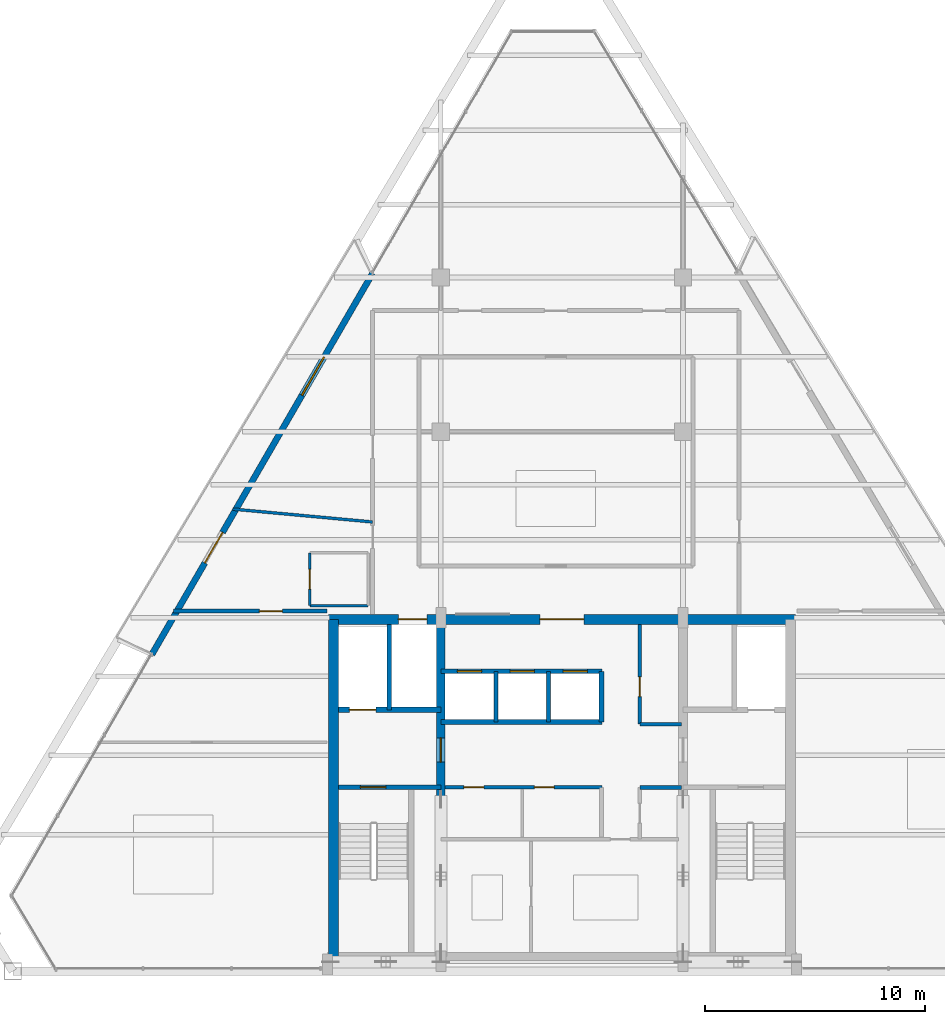
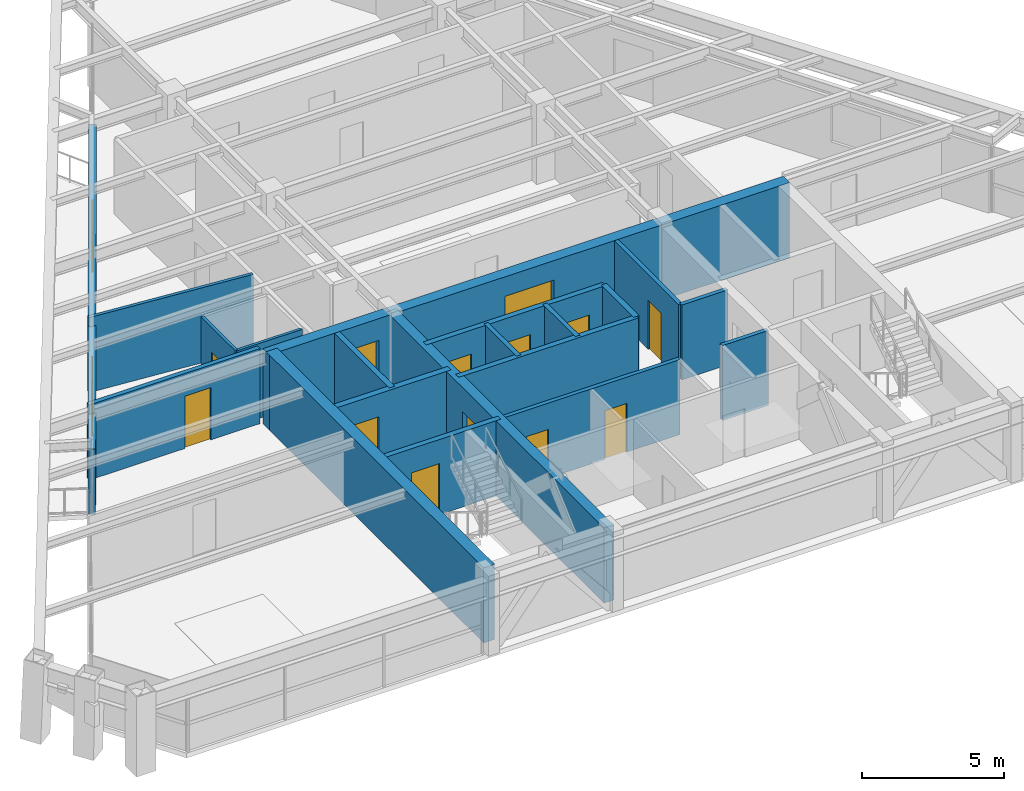
# One storey, part 9 of 13: 20 walls, 14 doors, 1 window, 15 openings.
"""IFC4 building model written with IfcOpenShell, lengths in metres."""

from ifc_helpers import new_model, si_unit, direction, frame, frame_2d, origin, place, context, subcontext, project, spatial, rectangle, extrude, source, transform, mapped, material, layer, layer_set, type_object, type_shapes, element, fill, save


model = new_model("IFC4")

# Units and contexts
model_context = context("Model", 3, precision=1e-05, world=origin(), true_north=direction((0.0, 1.0)))
body_context = subcontext(model_context, "Body", "Model", "MODEL_VIEW")
ifc_project = project(units=[si_unit("LENGTHUNIT", "METRE"), si_unit("AREAUNIT", "SQUARE_METRE"), si_unit("VOLUMEUNIT", "CUBIC_METRE"), si_unit("PLANEANGLEUNIT", "RADIAN"), si_unit("MASSUNIT", "GRAM", prefix="KILO")], contexts=[model_context])

# Site, building, storey
site_placement = place(None, origin())
site = spatial("IfcSite", under=ifc_project, at=site_placement, CompositionType="ELEMENT")
building_placement = place(site_placement, origin())
building = spatial("IfcBuilding", under=site, at=building_placement, Name="Varnakhor Terracotta Tower", CompositionType="ELEMENT")
storey_placement = place(building_placement, frame((0.0, 0.0, 269.550048828125)))
storey = spatial("IfcBuildingStorey", under=building, at=storey_placement, Name="L70", CompositionType="ELEMENT", Elevation=269.550048828125)

# Wall
ifc_material_1 = material(Name="Moisture-Resistant Tile-Backed Partition", Category="gypsum")
ifc_layer_1 = layer(ifc_material_1, 0.114990234375, Name="Moisture-Resistant Tile-Backed Partition")
ifc_layer_set_1 = layer_set([ifc_layer_1], Name="Moisture-Resistant Tile-Backed Partition")
wall_type_1 = type_object("IfcWallType", Name="WAL-BATH-115", PredefinedType="PARTITIONING", material=ifc_layer_set_1)
wall_1_placement = place(storey_placement, frame((-11.449951171875, 16.60009765625, 0.0), z_axis=(0.0, 0.0, 1.0), x_axis=(1.0, 0.0, 0.0)))
element("IfcWall", 1, at=wall_1_placement, inside=storey, type_object=wall_type_1, Name="L70 En-Suite 1 Wall S", PredefinedType="PARTITIONING", context=body_context, shape_type="SweptSolid", body=[
    extrude(rectangle(XDim=2.64990234375, YDim=0.114990234375, at=frame_2d((1.324951171875, 0.0))), origin(), (0.0, 0.0, 1.0), 3.23193359375),
])

# Wall, opening, door
wall_2_placement = place(storey_placement, frame((-11.449951171875, 16.60009765625, 0.0), z_axis=(0.0, 0.0, 1.0), x_axis=(0.0, 1.0, 0.0)))
wall_2 = element("IfcWall", 2, at=wall_2_placement, inside=storey, type_object=wall_type_1, Name="L70 En-Suite 1 Wall W", PredefinedType="PARTITIONING", context=body_context, shape_type="SweptSolid", body=[
    extrude(rectangle(XDim=2.39990234375, YDim=0.114990234375, at=frame_2d((1.199951171875, 0.0))), origin(), (0.0, 0.0, 1.0), 3.23193359375),
])
opening_1_placement = place(wall_2_placement, frame((0.75, 0.0, 0.0)))
opening_1 = element("IfcOpeningElement", 3, at=opening_1_placement, cuts=wall_2, Name="Opening DR-93", PredefinedType="OPENING", context=body_context, shape_type="SweptSolid", body=[
    extrude(rectangle(XDim=0.89990234375, YDim=2.14990234375, at=frame_2d((0.449951171875, 1.074951171875))), frame((0.0, 0.0673828125, 0.0), z_axis=(0.0, -1.0, 0.0), x_axis=(1.0, 0.0, 0.0)), (0.0, 0.0, 1.0), 0.135009765625),
])
ifc_material_2 = material(Name="Moisture-Resistant Accessible Bathroom Door", Category="wood")
door_type_1 = type_object("IfcDoorType", Name="DR-BATH-900X2150", OperationType="NOTDEFINED", PredefinedType="DOOR", material=ifc_material_2)
shared_shape_1 = source(origin(), body_context, "Body", "SweptSolid", [
    extrude(rectangle(XDim=0.89990234375, YDim=2.14990234375, at=frame_2d((0.449951171875, 1.074951171875))), frame((0.0, 0.02490234375, 0.0), z_axis=(0.0, -1.0, 0.0), x_axis=(1.0, 0.0, 0.0)), (0.0, 0.0, 1.0), 0.050048828125),
])
type_shapes(door_type_1, [shared_shape_1])
door_1_placement = place(opening_1_placement, origin())
door_1 = element("IfcDoor", 4, at=door_1_placement, inside=storey, type_object=door_type_1, Name="L70 En-Suite Bathroom 1 Door", OperationType="SINGLE_SWING_LEFT", OverallHeight=2.14990234375, OverallWidth=0.89990234375, PredefinedType="DOOR", context=body_context, shape_type="MappedRepresentation", body=[
    mapped(shared_shape_1, transform((0.0, 0.0, 0.0), scale=1.0)),
])
fill(opening_1, door_1)

# Wall, openings, doors
ifc_material_3 = material(Name="Concrete C50/60", Category="concrete")
ifc_layer_2 = layer(ifc_material_3, 0.449951171875, Name="Concrete C50/60")
ifc_layer_set_2 = layer_set([ifc_layer_2], Name="Concrete C50/60")
wall_type_2 = type_object("IfcWallType", Name="WAL-CORE-450", PredefinedType="SHEAR", material=ifc_layer_set_2)
wall_3_placement = place(storey_placement, frame((-10.60009765625, 15.97509765625, 0.0), z_axis=(0.0, 0.0, 1.0), x_axis=(1.0, 0.0, 0.0)))
wall_3 = element("IfcWall", 5, at=wall_3_placement, inside=storey, type_object=wall_type_2, Name="L70 North Core Shear Wall", PredefinedType="SHEAR", context=body_context, shape_type="SweptSolid", body=[
    extrude(rectangle(XDim=21.2001953125, YDim=0.449951171875, at=frame_2d((10.60009765625, 0.0))), origin(), (0.0, 0.0, 1.0), 3.239990234375),
])
opening_2_placement = place(wall_3_placement, frame((3.169921875, 0.0, 0.0)))
opening_2 = element("IfcOpeningElement", 6, at=opening_2_placement, cuts=wall_3, Name="Opening LD-03", PredefinedType="OPENING", context=body_context, shape_type="SweptSolid", body=[
    extrude(rectangle(XDim=1.300048828125, YDim=2.300048828125, at=frame_2d((0.64990234375, 1.14990234375))), frame((0.0, 0.23486328125, 0.0), z_axis=(0.0, -1.0, 0.0), x_axis=(1.0, 0.0, 0.0)), (0.0, 0.0, 1.0), 0.469970703125),
])
opening_3_placement = place(wall_3_placement, frame((9.60009765625, 0.0, 0.0)))
opening_3 = element("IfcOpeningElement", 7, at=opening_3_placement, cuts=wall_3, Name="Opening DR-32", PredefinedType="OPENING", context=body_context, shape_type="SweptSolid", body=[
    extrude(rectangle(XDim=2.0, YDim=2.39990234375, at=frame_2d((1.0, 1.199951171875))), frame((0.0, 0.23486328125, 0.0), z_axis=(0.0, -1.0, 0.0), x_axis=(1.0, 0.0, 0.0)), (0.0, 0.0, 1.0), 0.469970703125),
])
ifc_material_4 = material(Name="Heavy-Duty Goods Sliding Lift Landing Door", Category="steel")
door_type_2 = type_object("IfcDoorType", Name="LD-SRV-1300X2300", OperationType="NOTDEFINED", PredefinedType="DOOR", material=ifc_material_4)
shared_shape_2 = source(origin(), body_context, "Body", "SweptSolid", [
    extrude(rectangle(XDim=1.300048828125, YDim=2.300048828125, at=frame_2d((0.64990234375, 1.14990234375))), frame((0.0, 0.02490234375, 0.0), z_axis=(0.0, -1.0, 0.0), x_axis=(1.0, 0.0, 0.0)), (0.0, 0.0, 1.0), 0.050048828125),
])
type_shapes(door_type_2, [shared_shape_2])
door_2_placement = place(opening_2_placement, origin())
door_2 = element("IfcDoor", 8, at=door_2_placement, inside=storey, type_object=door_type_2, Name="L70 Service Lift SVL-1 Landing Door", OperationType="SLIDING_TO_RIGHT", OverallHeight=2.300048828125, OverallWidth=1.300048828125, PredefinedType="DOOR", context=body_context, shape_type="MappedRepresentation", body=[
    mapped(shared_shape_2, transform((0.0, 0.0, 0.0), scale=1.0)),
])
fill(opening_2, door_2)
ifc_material_5 = material(Name="Acoustic Double Assembly Fire Door", Category="wood")
door_type_3 = type_object("IfcDoorType", Name="DR-HALL-2000X2400", OperationType="NOTDEFINED", PredefinedType="DOOR", material=ifc_material_5)
shared_shape_3 = source(origin(), body_context, "Body", "SweptSolid", [
    extrude(rectangle(XDim=2.0, YDim=2.39990234375, at=frame_2d((1.0, 1.199951171875))), frame((0.0, 0.02490234375, 0.0), z_axis=(0.0, -1.0, 0.0), x_axis=(1.0, 0.0, 0.0)), (0.0, 0.0, 1.0), 0.050048828125),
])
type_shapes(door_type_3, [shared_shape_3])
door_3_placement = place(opening_3_placement, origin())
door_3 = element("IfcDoor", 9, at=door_3_placement, inside=storey, type_object=door_type_3, Name="L70 Core Main Lobby Double Door", OperationType="DOUBLE_DOOR_SINGLE_SWING", OverallHeight=2.39990234375, OverallWidth=2.0, PredefinedType="DOOR", context=body_context, shape_type="MappedRepresentation", body=[
    mapped(shared_shape_3, transform((0.0, 0.0, 0.0), scale=1.0)),
])
fill(opening_3, door_3)

# Wall
wall_4_placement = place(storey_placement, frame((-10.375, 0.625, 0.0), z_axis=(0.0, 0.0, 1.0), x_axis=(0.0, 1.0, 0.0)))
element("IfcWall", 10, at=wall_4_placement, inside=storey, type_object=wall_type_2, Name="L70 West Core Shear Wall", PredefinedType="SHEAR", context=body_context, shape_type="SweptSolid", body=[
    extrude(rectangle(XDim=15.35009765625, YDim=0.449951171875, at=frame_2d((7.675048828125, 0.0))), origin(), (0.0, 0.0, 1.0), 3.239990234375),
])

# Wall, opening, door
ifc_layer_3 = layer(ifc_material_3, 0.39990234375, Name="Concrete C50/60")
ifc_layer_set_3 = layer_set([ifc_layer_3], Name="Concrete C50/60")
wall_type_3 = type_object("IfcWallType", Name="WAL-CORE-WEB-400", PredefinedType="SHEAR", material=ifc_layer_set_3)
wall_5_placement = place(storey_placement, frame((-5.5, 0.625, 0.0), z_axis=(0.0, 0.0, 1.0), x_axis=(0.0, 1.0, 0.0)))
wall_5 = element("IfcWall", 11, at=wall_5_placement, inside=storey, type_object=wall_type_3, Name="L70 West Core Web Shear Wall", PredefinedType="SHEAR", context=body_context, shape_type="SweptSolid", body=[
    extrude(rectangle(XDim=15.35009765625, YDim=0.39990234375, at=frame_2d((7.675048828125, 0.0))), origin(), (0.0, 0.0, 1.0), 3.239990234375),
])
opening_4_placement = place(wall_5_placement, frame((8.875, 0.0, 0.0)))
opening_4 = element("IfcOpeningElement", 12, at=opening_4_placement, cuts=wall_5, Name="Opening DR-25", PredefinedType="OPENING", context=body_context, shape_type="SweptSolid", body=[
    extrude(rectangle(XDim=1.10009765625, YDim=2.199951171875, at=frame_2d((0.550048828125, 1.10009765625))), frame((0.0, 0.2099609375, 0.0), z_axis=(0.0, -1.0, 0.0), x_axis=(1.0, 0.0, 0.0)), (0.0, 0.0, 1.0), 0.419921875),
])
ifc_material_6 = material(Name="Firefighting Lobby Self-Closing Fire Door", Category="steel")
door_type_4 = type_object("IfcDoorType", Name="DR-FFL-1100X2200", OperationType="NOTDEFINED", PredefinedType="DOOR", material=ifc_material_6)
shared_shape_4 = source(origin(), body_context, "Body", "SweptSolid", [
    extrude(rectangle(XDim=1.10009765625, YDim=2.199951171875, at=frame_2d((0.550048828125, 1.10009765625))), frame((0.0, 0.02490234375, 0.0), z_axis=(0.0, -1.0, 0.0), x_axis=(1.0, 0.0, 0.0)), (0.0, 0.0, 1.0), 0.050048828125),
])
type_shapes(door_type_4, [shared_shape_4])
door_4_placement = place(opening_4_placement, origin())
door_4 = element("IfcDoor", 13, at=door_4_placement, inside=storey, type_object=door_type_4, Name="L70 West Firefighting Lobby Door", OperationType="SINGLE_SWING_RIGHT", OverallHeight=2.199951171875, OverallWidth=1.10009765625, PredefinedType="DOOR", context=body_context, shape_type="MappedRepresentation", body=[
    mapped(shared_shape_4, transform((0.0, 0.0, 0.0), scale=1.0)),
])
fill(opening_4, door_4)

ifc_material_7 = material(Name="Fire-Rated Gypsum Stud Partition", Category="gypsum")
ifc_layer_4 = layer(ifc_material_7, 0.18505859375, Name="Fire-Rated Gypsum Stud Partition")
ifc_layer_set_4 = layer_set([ifc_layer_4], Name="Fire-Rated Gypsum Stud Partition")
wall_type_4 = type_object("IfcWallType", Name="WAL-CORR-185", PredefinedType="PARTITIONING", material=ifc_layer_set_4)
wall_6_placement = place(storey_placement, frame((-17.634521484375, 16.35009765625, 0.0), z_axis=(0.0, 0.0, 1.0), x_axis=(1.0, 0.0, 0.0)))
wall_6 = element("IfcWall", 14, at=wall_6_placement, inside=storey, type_object=wall_type_4, Name="L70 South West Guest Entry Wall", PredefinedType="PARTITIONING", context=body_context, shape_type="SweptSolid", body=[
    extrude(rectangle(XDim=6.95458984375, YDim=0.18505859375, at=frame_2d((3.477294921875, 0.0))), origin(), (0.0, 0.0, 1.0), 3.23193359375),
])
opening_5_placement = place(wall_6_placement, frame((3.893310546875, 0.0, 0.0)))
opening_5 = element("IfcOpeningElement", 15, at=opening_5_placement, cuts=wall_6, Name="Opening DR-95", PredefinedType="OPENING", context=body_context, shape_type="SweptSolid", body=[
    extrude(rectangle(XDim=1.050048828125, YDim=2.25, at=frame_2d((0.52490234375, 1.125))), frame((0.0, 0.1025390625, 0.0), z_axis=(0.0, -1.0, 0.0), x_axis=(1.0, 0.0, 0.0)), (0.0, 0.0, 1.0), 0.205078125),
])
ifc_material_8 = material(Name="Solid-Core Timber Tenant/Hotel Entrance Door", Category="wood")
door_type_5 = type_object("IfcDoorType", Name="DR-SUITE-1050X2250", OperationType="NOTDEFINED", PredefinedType="DOOR", material=ifc_material_8)
shared_shape_5 = source(origin(), body_context, "Body", "SweptSolid", [
    extrude(rectangle(XDim=1.050048828125, YDim=2.25, at=frame_2d((0.52490234375, 1.125))), frame((0.0, 0.02490234375, 0.0), z_axis=(0.0, -1.0, 0.0), x_axis=(1.0, 0.0, 0.0)), (0.0, 0.0, 1.0), 0.050048828125),
])
type_shapes(door_type_5, [shared_shape_5])
door_5_placement = place(opening_5_placement, origin())
door_5 = element("IfcDoor", 16, at=door_5_placement, inside=storey, type_object=door_type_5, Name="L70 SW Suite Entry Door", OperationType="SINGLE_SWING_LEFT", OverallHeight=2.25, OverallWidth=1.050048828125, PredefinedType="DOOR", context=body_context, shape_type="MappedRepresentation", body=[
    mapped(shared_shape_5, transform((0.0, 0.0, 0.0), scale=1.0)),
])
fill(opening_5, door_5)

# Wall, openings, door, window
ifc_material_9 = material(Name="Extruded Architectural Terracotta Assembly", Category="masonry")
ifc_layer_5 = layer(ifc_material_9, 0.280029296875, Name="Extruded Architectural Terracotta Assembly")
ifc_layer_set_5 = layer_set([ifc_layer_5], Name="Extruded Architectural Terracotta Assembly")
wall_type_5 = type_object("IfcWallType", Name="WAL-EXT-TERRACOTTA-280", PredefinedType="SOLIDWALL", material=ifc_layer_set_5)
wall_7_placement = place(storey_placement, frame((-18.621337890625, 14.38671875, 0.0), z_axis=(0.0, 0.0, 1.0), x_axis=(0.501208020252, 0.865326828681, 0.0)))
wall_7 = element("IfcWall", 17, at=wall_7_placement, inside=storey, type_object=wall_type_5, Name="L70 W Loggia Insulated Terracotta Wall", PredefinedType="SOLIDWALL", context=body_context, shape_type="SweptSolid", body=[
    extrude(rectangle(XDim=20.0029296875, YDim=0.280029296875, at=frame_2d((10.00146484375, 0.0))), origin(), (0.0, 0.0, 1.0), 2.820068359375),
])
opening_6_placement = place(wall_7_placement, frame((4.80078125, 0.0, 0.0)))
opening_6 = element("IfcOpeningElement", 18, at=opening_6_placement, cuts=wall_7, Name="Opening DR-62", PredefinedType="OPENING", context=body_context, shape_type="SweptSolid", body=[
    extrude(rectangle(XDim=1.60009765625, YDim=2.35009765625, at=frame_2d((0.800048828125, 1.175048828125))), frame((0.0, 0.14990234375, 0.0), z_axis=(0.0, -1.0, 0.0), x_axis=(1.0, 0.0, 0.0)), (0.0, 0.0, 1.0), 0.300048828125),
])
opening_7_placement = place(wall_7_placement, frame((13.601806640625, 0.0, 0.89990234375)))
opening_7 = element("IfcOpeningElement", 19, at=opening_7_placement, cuts=wall_7, Name="Opening WN-63", PredefinedType="OPENING", context=body_context, shape_type="SweptSolid", body=[
    extrude(rectangle(XDim=2.0, YDim=1.75, at=frame_2d((1.0, 0.875))), frame((0.0, 0.14990234375, 0.0), z_axis=(0.0, -1.0, 0.0), x_axis=(1.0, 0.0, 0.0)), (0.0, 0.0, 1.0), 0.300048828125),
])
ifc_material_10 = material(Name="Thermally Broken Sliding Glass Loggia Door", Category="glass")
door_type_6 = type_object("IfcDoorType", Name="DR-EXT-LOGGIA-1600X2350", OperationType="NOTDEFINED", PredefinedType="DOOR", material=ifc_material_10)
shared_shape_6 = source(origin(), body_context, "Body", "SweptSolid", [
    extrude(rectangle(XDim=1.60009765625, YDim=2.35009765625, at=frame_2d((0.800048828125, 1.175048828125))), frame((0.0, 0.02490234375, 0.0), z_axis=(0.0, -1.0, 0.0), x_axis=(1.0, 0.0, 0.0)), (0.0, 0.0, 1.0), 0.050048828125),
])
type_shapes(door_type_6, [shared_shape_6])
door_6_placement = place(opening_6_placement, origin())
door_6 = element("IfcDoor", 20, at=door_6_placement, inside=storey, type_object=door_type_6, Name="L70 W Recessed Loggia Sliding Door", OperationType="SLIDING_TO_LEFT", OverallHeight=2.35009765625, OverallWidth=1.60009765625, PredefinedType="DOOR", context=body_context, shape_type="MappedRepresentation", body=[
    mapped(shared_shape_6, transform((0.0, 0.0, 0.0), scale=1.0)),
])
fill(opening_6, door_6)
ifc_material_11 = material(Name="Solar-Control Low-E Insulated Glass Unit", Category="glass")
window_type = type_object("IfcWindowType", Name="WIN-HTL-2000X1950", PartitioningType="SINGLE_PANEL", PredefinedType="WINDOW", material=ifc_material_11)
shared_shape_7 = source(origin(), body_context, "Body", "SweptSolid", [
    extrude(rectangle(XDim=2.0, YDim=1.75, at=frame_2d((1.0, 0.875))), frame((0.0, 0.030029296875, 0.0), z_axis=(0.0, -1.0, 0.0), x_axis=(1.0, 0.0, 0.0)), (0.0, 0.0, 1.0), 0.06005859375),
])
type_shapes(window_type, [shared_shape_7])
window_placement = place(opening_7_placement, origin())
window = element("IfcWindow", 21, at=window_placement, inside=storey, type_object=window_type, Name="L70 W Facet Punched Window", OverallHeight=1.75, OverallWidth=2.0, PartitioningType="SINGLE_PANEL", PredefinedType="WINDOW", context=body_context, shape_type="MappedRepresentation", body=[
    mapped(shared_shape_7, transform((0.0, 0.0, 0.0), scale=1.0)),
])
fill(opening_7, window)

# Wall, opening, door
ifc_material_12 = material(Name="Concrete C40/50", Category="concrete")
ifc_layer_6 = layer(ifc_material_12, 0.219970703125, Name="Concrete C40/50")
ifc_layer_set_6 = layer_set([ifc_layer_6], Name="Concrete C40/50")
wall_type_6 = type_object("IfcWallType", Name="WAL-FFLOBBY-220", PredefinedType="SOLIDWALL", material=ifc_layer_set_6)
wall_8_placement = place(storey_placement, frame((-5.5, 8.35009765625, 0.0), z_axis=(0.0, 0.0, 1.0), x_axis=(-1.0, 0.0, 0.0)))
wall_8 = element("IfcWall", 22, at=wall_8_placement, inside=storey, type_object=wall_type_6, Name="L70 West Firefighting Lobby Stair Wall", PredefinedType="SOLIDWALL", context=body_context, shape_type="SweptSolid", body=[
    extrude(rectangle(XDim=4.64990234375, YDim=0.219970703125, at=frame_2d((2.324951171875, 0.0))), origin(), (0.0, 0.0, 1.0), 3.239990234375),
])
opening_8_placement = place(wall_8_placement, frame((2.5, 0.0, 0.0)))
opening_8 = element("IfcOpeningElement", 23, at=opening_8_placement, cuts=wall_8, Name="Opening DR-34", PredefinedType="OPENING", context=body_context, shape_type="SweptSolid", body=[
    extrude(rectangle(XDim=1.14990234375, YDim=2.199951171875, at=frame_2d((0.574951171875, 1.10009765625))), frame((0.0, 0.1201171875, 0.0), z_axis=(0.0, -1.0, 0.0), x_axis=(1.0, 0.0, 0.0)), (0.0, 0.0, 1.0), 0.239990234375),
])
ifc_material_13 = material(Name="Self-Closing Smoke-Sealed Steel Fire Door", Category="steel")
door_type_7 = type_object("IfcDoorType", Name="DR-STAIR-1150X2200", OperationType="NOTDEFINED", PredefinedType="DOOR", material=ifc_material_13)
shared_shape_8 = source(origin(), body_context, "Body", "SweptSolid", [
    extrude(rectangle(XDim=1.14990234375, YDim=2.199951171875, at=frame_2d((0.574951171875, 1.10009765625))), frame((0.0, 0.02490234375, 0.0), z_axis=(0.0, -1.0, 0.0), x_axis=(1.0, 0.0, 0.0)), (0.0, 0.0, 1.0), 0.050048828125),
])
type_shapes(door_type_7, [shared_shape_8])
door_7_placement = place(opening_8_placement, origin())
door_7 = element("IfcDoor", 24, at=door_7_placement, inside=storey, type_object=door_type_7, Name="L70 Exit Stair ST-1 Fire Door", OperationType="SINGLE_SWING_LEFT", OverallHeight=2.199951171875, OverallWidth=1.14990234375, PredefinedType="DOOR", context=body_context, shape_type="MappedRepresentation", body=[
    mapped(shared_shape_8, transform((0.0, 0.0, 0.0), scale=1.0)),
])
fill(opening_8, door_7)

# Walls
ifc_material_14 = material(Name="Acoustic Hotel Room Partition", Category="gypsum")
ifc_layer_7 = layer(ifc_material_14, 0.1298828125, Name="Acoustic Hotel Room Partition")
ifc_layer_set_7 = layer_set([ifc_layer_7], Name="Acoustic Hotel Room Partition")
wall_type_7 = type_object("IfcWallType", Name="WAL-PART-130", PredefinedType="PARTITIONING", material=ifc_layer_set_7)
wall_9_placement = place(storey_placement, frame((-14.94921875, 20.985595703125, 0.0), z_axis=(0.0, 0.0, 1.0), x_axis=(0.995772122892, -0.091857929817, 0.0)))
element("IfcWall", 25, at=wall_9_placement, inside=storey, type_object=wall_type_7, Name="L70 West Key Cut 1", PredefinedType="PARTITIONING", context=body_context, shape_type="SweptSolid", body=[
    extrude(rectangle(XDim=6.3759765625, YDim=0.1298828125, at=frame_2d((3.18798828125, 0.0))), origin(), (0.0, 0.0, 1.0), 3.23193359375),
])
ifc_layer_8 = layer(ifc_material_12, 0.179931640625, Name="Concrete C40/50")
ifc_layer_set_8 = layer_set([ifc_layer_8], Name="Concrete C40/50")
wall_type_8 = type_object("IfcWallType", Name="WAL-SHAFT-180", PredefinedType="SOLIDWALL", material=ifc_layer_set_8)
for number, where, z_axis, x_axis, name in (
    (26, (-3.0, 11.320068359375, 0.0), (0.0, 0.0, 1.0), (0.0, 1.0, 0.0), "L70 PL-3A Divider"),
    (27, (-0.60009765625, 11.320068359375, 0.0), (0.0, 0.0, 1.0), (0.0, 1.0, 0.0), "L70 PL-3B Divider"),
):
    element("IfcWall", number, at=place(storey_placement, frame(where, z_axis=z_axis, x_axis=x_axis)), inside=storey, type_object=wall_type_8, Name=name, PredefinedType="SOLIDWALL", context=body_context, shape_type="SweptSolid", body=[
        extrude(rectangle(XDim=2.300048828125, YDim=0.179931640625, at=frame_2d((1.14990234375, 0.0))), origin(), (0.0, 0.0, 1.0), 3.239990234375),
    ])
ifc_layer_9 = layer(ifc_material_12, 0.219970703125, Name="Concrete C40/50")
ifc_layer_set_9 = layer_set([ifc_layer_9], Name="Concrete C40/50")
wall_type_9 = type_object("IfcWallType", Name="WAL-SHAFT-220", PredefinedType="SOLIDWALL", material=ifc_layer_set_9)
wall_10_placement = place(storey_placement, frame((-7.840087890625, 11.8701171875, 0.0), z_axis=(0.0, 0.0, 1.0), x_axis=(0.0, 1.0, 0.0)))
element("IfcWall", 28, at=wall_10_placement, inside=storey, type_object=wall_type_9, Name="L70 Lift FFL-1 and SVL-1 Divider Wall", PredefinedType="SOLIDWALL", context=body_context, shape_type="SweptSolid", body=[
    extrude(rectangle(XDim=3.8798828125, YDim=0.219970703125, at=frame_2d((1.93994140625, 0.0))), origin(), (0.0, 0.0, 1.0), 3.239990234375),
])
wall_11_placement = place(storey_placement, frame((-5.5, 11.320068359375, 0.0), z_axis=(0.0, 0.0, 1.0), x_axis=(1.0, 0.0, 0.0)))
element("IfcWall", 29, at=wall_11_placement, inside=storey, type_object=wall_type_9, Name="L70 Bank 3 South Shaft Wall", PredefinedType="SOLIDWALL", context=body_context, shape_type="SweptSolid", body=[
    extrude(rectangle(XDim=7.320068359375, YDim=0.219970703125, at=frame_2d((3.66015625, 0.0))), origin(), (0.0, 0.0, 1.0), 3.239990234375),
])

# Wall, openings, doors
wall_12_placement = place(storey_placement, frame((-5.5, 13.6201171875, 0.0), z_axis=(0.0, 0.0, 1.0), x_axis=(1.0, 0.0, 0.0)))
wall_12 = element("IfcWall", 30, at=wall_12_placement, inside=storey, type_object=wall_type_9, Name="L70 Bank 3 North Shaft Wall", PredefinedType="SOLIDWALL", context=body_context, shape_type="SweptSolid", body=[
    extrude(rectangle(XDim=7.320068359375, YDim=0.219970703125, at=frame_2d((3.66015625, 0.0))), origin(), (0.0, 0.0, 1.0), 3.239990234375),
])
opening_9_placement = place(wall_12_placement, frame((0.75, 0.0, 0.0)))
opening_9 = element("IfcOpeningElement", 31, at=opening_9_placement, cuts=wall_12, Name="Opening LD-01", PredefinedType="OPENING", context=body_context, shape_type="SweptSolid", body=[
    extrude(rectangle(XDim=1.10009765625, YDim=2.199951171875, at=frame_2d((0.550048828125, 1.10009765625))), frame((0.0, 0.1201171875, 0.0), z_axis=(0.0, -1.0, 0.0), x_axis=(1.0, 0.0, 0.0)), (0.0, 0.0, 1.0), 0.239990234375),
])
opening_10_placement = place(wall_12_placement, frame((3.14990234375, 0.0, 0.0)))
opening_10 = element("IfcOpeningElement", 32, at=opening_10_placement, cuts=wall_12, Name="Opening LD-01", PredefinedType="OPENING", context=body_context, shape_type="SweptSolid", body=[
    extrude(rectangle(XDim=1.10009765625, YDim=2.199951171875, at=frame_2d((0.550048828125, 1.10009765625))), frame((0.0, 0.1201171875, 0.0), z_axis=(0.0, -1.0, 0.0), x_axis=(1.0, 0.0, 0.0)), (0.0, 0.0, 1.0), 0.239990234375),
])
opening_11_placement = place(wall_12_placement, frame((5.550048828125, 0.0, 0.0)))
opening_11 = element("IfcOpeningElement", 33, at=opening_11_placement, cuts=wall_12, Name="Opening LD-01", PredefinedType="OPENING", context=body_context, shape_type="SweptSolid", body=[
    extrude(rectangle(XDim=1.10009765625, YDim=2.199951171875, at=frame_2d((0.550048828125, 1.10009765625))), frame((0.0, 0.1201171875, 0.0), z_axis=(0.0, -1.0, 0.0), x_axis=(1.0, 0.0, 0.0)), (0.0, 0.0, 1.0), 0.239990234375),
])
ifc_material_15 = material(Name="Brushed Stainless Steel Sliding Lift Landing Door", Category="steel")
door_type_8 = type_object("IfcDoorType", Name="LD-PASS-1100X2200", OperationType="NOTDEFINED", PredefinedType="DOOR", material=ifc_material_15)
shared_shape_9 = source(origin(), body_context, "Body", "SweptSolid", [
    extrude(rectangle(XDim=1.10009765625, YDim=2.199951171875, at=frame_2d((0.550048828125, 1.10009765625))), frame((0.0, 0.02490234375, 0.0), z_axis=(0.0, -1.0, 0.0), x_axis=(1.0, 0.0, 0.0)), (0.0, 0.0, 1.0), 0.050048828125),
])
type_shapes(door_type_8, [shared_shape_9])
door_8_placement = place(opening_9_placement, origin())
door_8 = element("IfcDoor", 34, at=door_8_placement, inside=storey, type_object=door_type_8, Name="L70 Passenger Lift PL-3A Landing Door", OperationType="SLIDING_TO_RIGHT", OverallHeight=2.199951171875, OverallWidth=1.10009765625, PredefinedType="DOOR", context=body_context, shape_type="MappedRepresentation", body=[
    mapped(shared_shape_9, transform((0.0, 0.0, 0.0), scale=1.0)),
])
fill(opening_9, door_8)
door_9_placement = place(opening_10_placement, origin())
door_9 = element("IfcDoor", 35, at=door_9_placement, inside=storey, type_object=door_type_8, Name="L70 Passenger Lift PL-3B Landing Door", OperationType="SLIDING_TO_RIGHT", OverallHeight=2.199951171875, OverallWidth=1.10009765625, PredefinedType="DOOR", context=body_context, shape_type="MappedRepresentation", body=[
    mapped(shared_shape_9, transform((0.0, 0.0, 0.0), scale=1.0)),
])
fill(opening_10, door_9)
door_10_placement = place(opening_11_placement, origin())
door_10 = element("IfcDoor", 36, at=door_10_placement, inside=storey, type_object=door_type_8, Name="L70 Passenger Lift PL-3C Landing Door", OperationType="SLIDING_TO_RIGHT", OverallHeight=2.199951171875, OverallWidth=1.10009765625, PredefinedType="DOOR", context=body_context, shape_type="MappedRepresentation", body=[
    mapped(shared_shape_9, transform((0.0, 0.0, 0.0), scale=1.0)),
])
fill(opening_11, door_10)

# Wall
wall_13_placement = place(storey_placement, frame((1.800048828125, 11.320068359375, 0.0), z_axis=(0.0, 0.0, 1.0), x_axis=(0.0, 1.0, 0.0)))
element("IfcWall", 37, at=wall_13_placement, inside=storey, type_object=wall_type_9, Name="L70 Bank 3 East Shaft Wall", PredefinedType="SOLIDWALL", context=body_context, shape_type="SweptSolid", body=[
    extrude(rectangle(XDim=2.300048828125, YDim=0.219970703125, at=frame_2d((1.14990234375, 0.0))), origin(), (0.0, 0.0, 1.0), 3.239990234375),
])

# Wall, opening, door
ifc_layer_10 = layer(ifc_material_12, 0.25, Name="Concrete C40/50")
ifc_layer_set_10 = layer_set([ifc_layer_10], Name="Concrete C40/50")
wall_type_10 = type_object("IfcWallType", Name="WAL-SHAFT-250", PredefinedType="SOLIDWALL", material=ifc_layer_set_10)
wall_14_placement = place(storey_placement, frame((-5.5, 11.8701171875, 0.0), z_axis=(0.0, 0.0, 1.0), x_axis=(-1.0, 0.0, 0.0)))
wall_14 = element("IfcWall", 38, at=wall_14_placement, inside=storey, type_object=wall_type_10, Name="L70 Lift FFL-1 Shaft Front Wall", PredefinedType="SOLIDWALL", context=body_context, shape_type="SweptSolid", body=[
    extrude(rectangle(XDim=4.64990234375, YDim=0.25, at=frame_2d((2.324951171875, 0.0))), origin(), (0.0, 0.0, 1.0), 3.239990234375),
])
opening_12_placement = place(wall_14_placement, frame((2.949951171875, 0.0, 0.0)))
opening_12 = element("IfcOpeningElement", 39, at=opening_12_placement, cuts=wall_14, Name="Opening LD-02", PredefinedType="OPENING", context=body_context, shape_type="SweptSolid", body=[
    extrude(rectangle(XDim=1.199951171875, YDim=2.25, at=frame_2d((0.60009765625, 1.125))), frame((0.0, 0.135009765625, 0.0), z_axis=(0.0, -1.0, 0.0), x_axis=(1.0, 0.0, 0.0)), (0.0, 0.0, 1.0), 0.27001953125),
])
ifc_material_16 = material(Name="Firefighting Stretcher Sliding Lift Landing Door", Category="steel")
door_type_9 = type_object("IfcDoorType", Name="LD-FFL-1200X2250", OperationType="NOTDEFINED", PredefinedType="DOOR", material=ifc_material_16)
shared_shape_10 = source(origin(), body_context, "Body", "SweptSolid", [
    extrude(rectangle(XDim=1.199951171875, YDim=2.25, at=frame_2d((0.60009765625, 1.125))), frame((0.0, 0.02490234375, 0.0), z_axis=(0.0, -1.0, 0.0), x_axis=(1.0, 0.0, 0.0)), (0.0, 0.0, 1.0), 0.050048828125),
])
type_shapes(door_type_9, [shared_shape_10])
door_11_placement = place(opening_12_placement, origin())
door_11 = element("IfcDoor", 40, at=door_11_placement, inside=storey, type_object=door_type_9, Name="L70 Firefighting Lift FFL-1 Landing Door", OperationType="SLIDING_TO_LEFT", OverallHeight=2.25, OverallWidth=1.199951171875, PredefinedType="DOOR", context=body_context, shape_type="MappedRepresentation", body=[
    mapped(shared_shape_10, transform((0.0, 0.0, 0.0), scale=1.0)),
])
fill(opening_12, door_11)

# Wall
ifc_material_17 = material(Name="Acoustic Fire-Rated Partition", Category="gypsum")
ifc_layer_11 = layer(ifc_material_17, 0.1650390625, Name="Acoustic Fire-Rated Partition")
ifc_layer_set_11 = layer_set([ifc_layer_11], Name="Acoustic Fire-Rated Partition")
wall_type_11 = type_object("IfcWallType", Name="WAL-TENANCY-165", PredefinedType="PARTITIONING", material=ifc_layer_set_11)
wall_15_placement = place(storey_placement, frame((3.5400390625, 8.340087890625, 0.0), z_axis=(0.0, 0.0, 1.0), x_axis=(1.0, 0.0, 0.0)))
element("IfcWall", 41, at=wall_15_placement, inside=storey, type_object=wall_type_11, Name="L70 Accessible WC North Wall", PredefinedType="PARTITIONING", context=body_context, shape_type="SweptSolid", body=[
    extrude(rectangle(XDim=1.8798828125, YDim=0.1650390625, at=frame_2d((0.93994140625, 0.0))), origin(), (0.0, 0.0, 1.0), 3.23193359375),
])

# Wall, openings, doors
wall_16_placement = place(storey_placement, frame((-5.300048828125, 8.35009765625, 0.0), z_axis=(0.0, 0.0, 1.0), x_axis=(1.0, 0.0, 0.0)))
wall_16 = element("IfcWall", 42, at=wall_16_placement, inside=storey, type_object=wall_type_11, Name="L70 Reclaimed Mid-Core North Wall", PredefinedType="PARTITIONING", context=body_context, shape_type="SweptSolid", body=[
    extrude(rectangle(XDim=7.1201171875, YDim=0.1650390625, at=frame_2d((3.56005859375, 0.0))), origin(), (0.0, 0.0, 1.0), 3.23193359375),
])
opening_13_placement = place(wall_16_placement, frame((0.85009765625, 0.0, 0.0)))
opening_13 = element("IfcOpeningElement", 43, at=opening_13_placement, cuts=wall_16, Name="Opening DR-67", PredefinedType="OPENING", context=body_context, shape_type="SweptSolid", body=[
    extrude(rectangle(XDim=0.89990234375, YDim=2.10009765625, at=frame_2d((0.449951171875, 1.050048828125))), frame((0.0, 0.092529296875, 0.0), z_axis=(0.0, -1.0, 0.0), x_axis=(1.0, 0.0, 0.0)), (0.0, 0.0, 1.0), 0.18505859375),
])
opening_14_placement = place(wall_16_placement, frame((4.050048828125, 0.0, 0.0)))
opening_14 = element("IfcOpeningElement", 44, at=opening_14_placement, cuts=wall_16, Name="Opening DR-67", PredefinedType="OPENING", context=body_context, shape_type="SweptSolid", body=[
    extrude(rectangle(XDim=0.89990234375, YDim=2.10009765625, at=frame_2d((0.449951171875, 1.050048828125))), frame((0.0, 0.092529296875, 0.0), z_axis=(0.0, -1.0, 0.0), x_axis=(1.0, 0.0, 0.0)), (0.0, 0.0, 1.0), 0.18505859375),
])
ifc_material_18 = material(Name="Steel Service Riser Fire Door", Category="steel")
door_type_10 = type_object("IfcDoorType", Name="DR-RISER-900X2100", OperationType="NOTDEFINED", PredefinedType="DOOR", material=ifc_material_18)
shared_shape_11 = source(origin(), body_context, "Body", "SweptSolid", [
    extrude(rectangle(XDim=0.89990234375, YDim=2.10009765625, at=frame_2d((0.449951171875, 1.050048828125))), frame((0.0, 0.02490234375, 0.0), z_axis=(0.0, -1.0, 0.0), x_axis=(1.0, 0.0, 0.0)), (0.0, 0.0, 1.0), 0.050048828125),
])
type_shapes(door_type_10, [shared_shape_11])
door_12_placement = place(opening_13_placement, origin())
door_12 = element("IfcDoor", 45, at=door_12_placement, inside=storey, type_object=door_type_10, Name="L70 Core West Restroom Door", OperationType="SINGLE_SWING_RIGHT", OverallHeight=2.10009765625, OverallWidth=0.89990234375, PredefinedType="DOOR", context=body_context, shape_type="MappedRepresentation", body=[
    mapped(shared_shape_11, transform((0.0, 0.0, 0.0), scale=1.0)),
])
fill(opening_13, door_12)
door_13_placement = place(opening_14_placement, origin())
door_13 = element("IfcDoor", 46, at=door_13_placement, inside=storey, type_object=door_type_10, Name="L70 Core East Restroom Door", OperationType="SINGLE_SWING_LEFT", OverallHeight=2.10009765625, OverallWidth=0.89990234375, PredefinedType="DOOR", context=body_context, shape_type="MappedRepresentation", body=[
    mapped(shared_shape_11, transform((0.0, 0.0, 0.0), scale=1.0)),
])
fill(opening_14, door_13)

# Wall, opening, door
wall_17_placement = place(storey_placement, frame((3.5400390625, 11.219970703125, 0.0), z_axis=(0.0, 0.0, 1.0), x_axis=(0.0, 1.0, 0.0)))
wall_17 = element("IfcWall", 47, at=wall_17_placement, inside=storey, type_object=wall_type_11, Name="L70 Restroom Corridor Wall", PredefinedType="PARTITIONING", context=body_context, shape_type="SweptSolid", body=[
    extrude(rectangle(XDim=4.530029296875, YDim=0.1650390625, at=frame_2d((2.26513671875, 0.0))), origin(), (0.0, 0.0, 1.0), 3.23193359375),
])
opening_15_placement = place(wall_17_placement, frame((1.25, 0.0, 0.0)))
opening_15 = element("IfcOpeningElement", 48, at=opening_15_placement, cuts=wall_17, Name="Opening DR-67", PredefinedType="OPENING", context=body_context, shape_type="SweptSolid", body=[
    extrude(rectangle(XDim=0.89990234375, YDim=2.10009765625, at=frame_2d((0.449951171875, 1.050048828125))), frame((0.0, 0.092529296875, 0.0), z_axis=(0.0, -1.0, 0.0), x_axis=(1.0, 0.0, 0.0)), (0.0, 0.0, 1.0), 0.18505859375),
])
door_14_placement = place(opening_15_placement, origin())
door_14 = element("IfcDoor", 49, at=door_14_placement, inside=storey, type_object=door_type_10, Name="L70 Female WC Door", OperationType="SINGLE_SWING_RIGHT", OverallHeight=2.10009765625, OverallWidth=0.89990234375, PredefinedType="DOOR", context=body_context, shape_type="MappedRepresentation", body=[
    mapped(shared_shape_11, transform((0.0, 0.0, 0.0), scale=1.0)),
])
fill(opening_15, door_14)

# Wall
wall_18_placement = place(storey_placement, frame((3.5400390625, 11.219970703125, 0.0), z_axis=(0.0, 0.0, 1.0), x_axis=(1.0, 0.0, 0.0)))
element("IfcWall", 50, at=wall_18_placement, inside=storey, type_object=wall_type_11, Name="L70 Restroom South Wall", PredefinedType="PARTITIONING", context=body_context, shape_type="SweptSolid", body=[
    extrude(rectangle(XDim=1.8798828125, YDim=0.1650390625, at=frame_2d((0.93994140625, 0.0))), origin(), (0.0, 0.0, 1.0), 3.23193359375),
])

save(model, "model.ifc")
